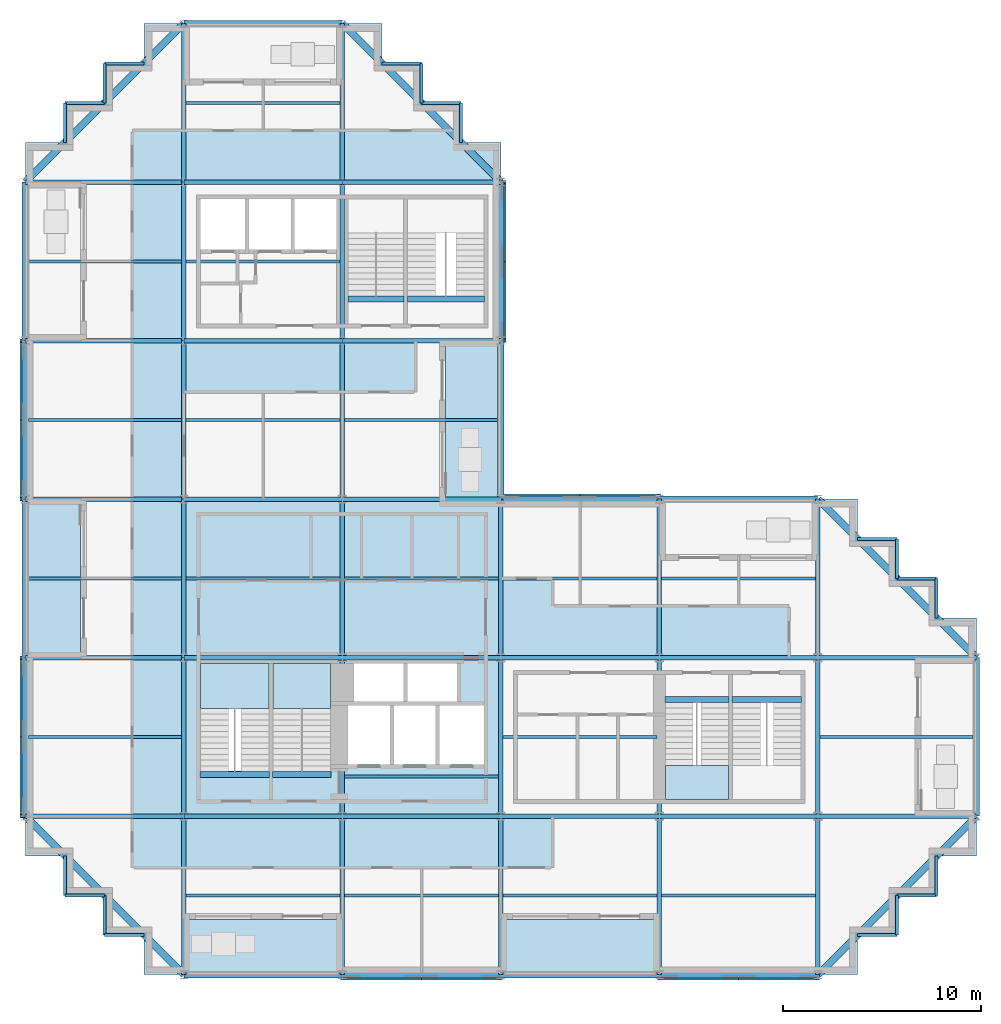
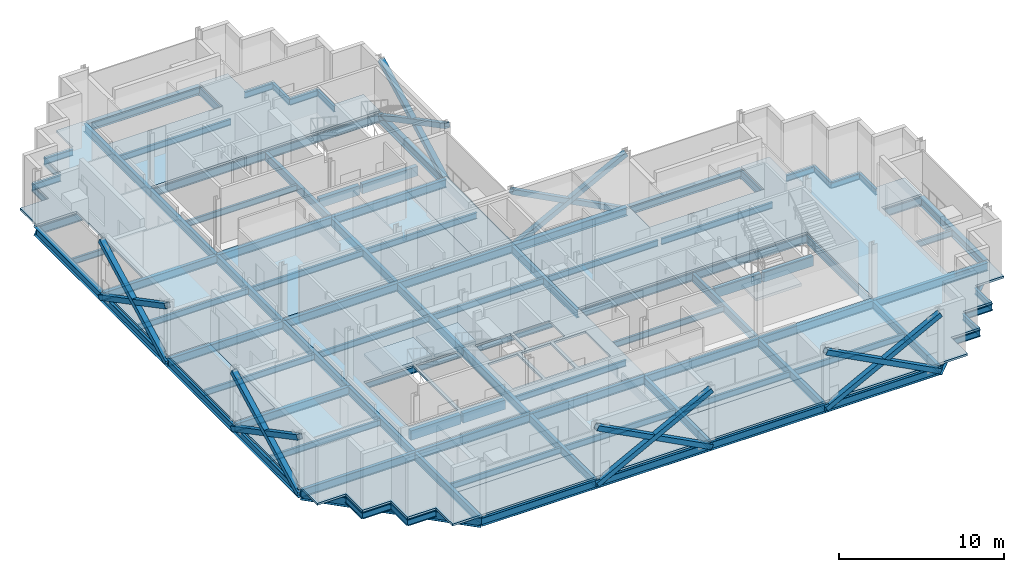
# One storey, part 3 of 13: 106 beams, 12 members, 9 slabs, 3 elements without a shape of their own.
"""IFC4 building model written with IfcOpenShell, lengths in metres."""

from ifc_helpers import new_model, si_unit, direction, frame, origin, origin_2d, place, context, subcontext, project, spatial, polyline, rectangle, hollow_rectangle, i_section, outline, extrude, material, layer, layer_set, material_profile, profile_set, type_object, element, aggregate, save


model = new_model("IFC4")

# Units and contexts
model_context = context("Model", 3, precision=1e-05, world=origin(), true_north=direction((0.0, 1.0)))
body_context = subcontext(model_context, "Body", "Model", "MODEL_VIEW")
ifc_project = project(units=[si_unit("LENGTHUNIT", "METRE"), si_unit("AREAUNIT", "SQUARE_METRE"), si_unit("VOLUMEUNIT", "CUBIC_METRE"), si_unit("PLANEANGLEUNIT", "RADIAN"), si_unit("MASSUNIT", "GRAM", prefix="KILO")], contexts=[model_context])

# Site, building, storey
site_placement = place(None, origin())
site = spatial("IfcSite", under=ifc_project, at=site_placement, CompositionType="ELEMENT")
building_placement = place(site_placement, origin())
building = spatial("IfcBuilding", under=site, at=building_placement, Name="Immortelle Media Tower", CompositionType="ELEMENT")
storey_placement = place(building_placement, frame((0.0, 0.0, 174.60009765625)))
storey = spatial("IfcBuildingStorey", under=building, at=storey_placement, Name="L36", CompositionType="ELEMENT", Elevation=174.60009765625)

# Members
ifc_material_1 = material(Name="Steel ASTM A500 Gr C", Category="steel")
ifc_material_profile_1 = material_profile(ifc_material_1, hollow_rectangle(XDim=0.35595703125, YDim=0.35595703125, WallThickness=0.011962890625, at=origin_2d()), Name="HSS14x14x1/2 brace")
ifc_profile_set_1 = profile_set([ifc_material_profile_1], Name="Steel ASTM A500 Gr C")
member_type = type_object("IfcMemberType", Name="HSS14x14x1/2 brace", PredefinedType="BRACE", material=ifc_profile_set_1)
for number, where, z_axis, x_axis, name in (
    (1, (16.0, -0.087890625, -0.4560546875), (0.885400126936, 0.0, 0.464829662588), (0.0, 1.0, 0.0), "Brace A/3-4 A"),
    (2, (16.0, -0.087890625, 3.743896484375), (0.885400126936, 0.0, -0.464829662588), (0.0, 1.0, 0.0), "Brace A/3-4 B"),
    (3, (32.0, -0.087890625, -0.4560546875), (0.885400126936, 0.0, 0.464829662588), (0.0, 1.0, 0.0), "Brace A/5-6 A"),
    (4, (32.0, -0.087890625, 3.743896484375), (0.885400126936, 0.0, -0.464829662588), (0.0, 1.0, 0.0), "Brace A/5-6 B"),
    (5, (32.0, 24.087890625, -0.4560546875), (-0.885400126936, 0.0, 0.464829662588), (0.0, -1.0, 0.0), "Brace D/4-5 A"),
    (6, (32.0, 24.087890625, 3.743896484375), (-0.885400126936, 0.0, -0.464829662588), (0.0, -1.0, 0.0), "Brace D/4-5 B"),
    (7, (24.087890625, 32.0, -0.4560546875), (0.0, 0.885400126936, 0.464829662588), (-1.0, 0.0, 0.0), "Brace 4/E-F A"),
    (8, (24.087890625, 32.0, 3.743896484375), (0.0, 0.885400126936, -0.464829662588), (-1.0, 0.0, 0.0), "Brace 4/E-F B"),
    (9, (-0.087890625, 32.0, -0.4560546875), (0.0, -0.885400126936, 0.464829662588), (1.0, 0.0, 0.0), "Brace 1/D-E A"),
    (10, (-0.087890625, 32.0, 3.743896484375), (0.0, -0.885400126936, -0.464829662588), (1.0, 0.0, 0.0), "Brace 1/D-E B"),
    (11, (-0.087890625, 16.0, -0.4560546875), (0.0, -0.885400126936, 0.464829662588), (1.0, 0.0, 0.0), "Brace 1/B-C A"),
    (12, (-0.087890625, 16.0, 3.743896484375), (0.0, -0.885400126936, -0.464829662588), (1.0, 0.0, 0.0), "Brace 1/B-C B"),
):
    element("IfcMember", number, at=place(storey_placement, frame(where, z_axis=z_axis, x_axis=x_axis)), inside=storey, type_object=member_type, Name=name, PredefinedType="BRACE", context=body_context, shape_type="SweptSolid", body=[
        extrude(hollow_rectangle(XDim=0.35595703125, YDim=0.35595703125, WallThickness=0.011962890625, at=origin_2d()), origin(), (0.0, 0.0, 1.0), 9.035400390625),
    ])

# Beams
ifc_material_2 = material(Name="Concrete C50/60", Category="concrete")
ifc_material_profile_2 = material_profile(ifc_material_2, rectangle(XDim=0.300048828125, YDim=0.699951171875, at=origin_2d()), Name="RC 300x700")
ifc_profile_set_2 = profile_set([ifc_material_profile_2], Name="Concrete C50/60")
beam_type_1 = type_object("IfcBeamType", Name="Stair trimmer beam 300 x 700", PredefinedType="BEAM", material=ifc_profile_set_2)
beam_1_placement = place(storey_placement, frame((8.830078125, 10.10498046875, -0.5), z_axis=(1.0, 0.0, 0.0), x_axis=(0.0, 1.0, 0.0)))
element("IfcBeam", 13, at=beam_1_placement, inside=storey, type_object=beam_type_1, Name="Stair trimmer beam SW1", PredefinedType="BEAM", context=body_context, shape_type="SweptSolid", body=[
    extrude(rectangle(XDim=0.300048828125, YDim=0.699951171875, at=origin_2d()), origin(), (0.0, 0.0, 1.0), 3.489990234375),
])
beam_2_placement = place(storey_placement, frame((12.47998046875, 10.10498046875, -0.5), z_axis=(1.0, 0.0, 0.0), x_axis=(0.0, 1.0, 0.0)))
element("IfcBeam", 14, at=beam_2_placement, inside=storey, type_object=beam_type_1, Name="Stair trimmer beam SW2", PredefinedType="BEAM", context=body_context, shape_type="SweptSolid", body=[
    extrude(rectangle(XDim=0.300048828125, YDim=0.699951171875, at=origin_2d()), origin(), (0.0, 0.0, 1.0), 2.93994140625),
])
beam_3_placement = place(storey_placement, frame((32.280029296875, 13.89501953125, -0.5), z_axis=(1.0, 0.0, 0.0), x_axis=(0.0, 1.0, 0.0)))
element("IfcBeam", 15, at=beam_3_placement, inside=storey, type_object=beam_type_1, Name="Stair trimmer beam SE1", PredefinedType="BEAM", context=body_context, shape_type="SweptSolid", body=[
    extrude(rectangle(XDim=0.300048828125, YDim=0.699951171875, at=origin_2d()), origin(), (0.0, 0.0, 1.0), 3.239990234375),
])
beam_4_placement = place(storey_placement, frame((35.679931640625, 13.89501953125, -0.5), z_axis=(1.0, 0.0, 0.0), x_axis=(0.0, 1.0, 0.0)))
element("IfcBeam", 16, at=beam_4_placement, inside=storey, type_object=beam_type_1, Name="Stair trimmer beam SE2", PredefinedType="BEAM", context=body_context, shape_type="SweptSolid", body=[
    extrude(rectangle(XDim=0.300048828125, YDim=0.699951171875, at=origin_2d()), origin(), (0.0, 0.0, 1.0), 3.489990234375),
])
beam_5_placement = place(storey_placement, frame((16.280029296875, 34.10498046875, -0.5), z_axis=(1.0, 0.0, 0.0), x_axis=(0.0, 1.0, 0.0)))
element("IfcBeam", 17, at=beam_5_placement, inside=storey, type_object=beam_type_1, Name="Stair trimmer beam NW1", PredefinedType="BEAM", context=body_context, shape_type="SweptSolid", body=[
    extrude(rectangle(XDim=0.300048828125, YDim=0.699951171875, at=origin_2d()), origin(), (0.0, 0.0, 1.0), 2.840087890625),
])
beam_6_placement = place(storey_placement, frame((19.280029296875, 34.10498046875, -0.5), z_axis=(1.0, 0.0, 0.0), x_axis=(0.0, 1.0, 0.0)))
element("IfcBeam", 18, at=beam_6_placement, inside=storey, type_object=beam_type_1, Name="Stair trimmer beam NW2", PredefinedType="BEAM", context=body_context, shape_type="SweptSolid", body=[
    extrude(rectangle(XDim=0.300048828125, YDim=0.699951171875, at=origin_2d()), origin(), (0.0, 0.0, 1.0), 3.889892578125),
])
ifc_material_3 = material(Name="Steel ASTM A992 Gr 50", Category="steel")
ifc_material_profile_3 = material_profile(ifc_material_3, i_section(OverallWidth=0.153076171875, OverallDepth=0.455078125, WebThickness=0.008056640625, FlangeThickness=0.012939453125, at=origin_2d()), Name="W18x40")
ifc_profile_set_3 = profile_set([ifc_material_profile_3], Name="Steel ASTM A992 Gr 50")
beam_type_2 = type_object("IfcBeamType", Name="W18x40 secondary beam", PredefinedType="JOIST", material=ifc_profile_set_3)
for number, where, z_axis, x_axis, name in (
    (19, (8.114013671875, 4.0, -0.377685546875), (1.0, 0.0, 0.0), (0.0, 1.0, 0.0), "Beam A-B/2-3"),
    (20, (16.114013671875, 4.0, -0.377685546875), (1.0, 0.0, 0.0), (0.0, 1.0, 0.0), "Beam A-B/3-4"),
    (21, (24.114013671875, 4.0, -0.377685546875), (1.0, 0.0, 0.0), (0.0, 1.0, 0.0), "Beam A-B/4-5"),
    (22, (32.114013671875, 4.0, -0.377685546875), (1.0, 0.0, 0.0), (0.0, 1.0, 0.0), "Beam A-B/5-6"),
):
    element("IfcBeam", number, at=place(storey_placement, frame(where, z_axis=z_axis, x_axis=x_axis)), inside=storey, type_object=beam_type_2, Name=name, PredefinedType="JOIST", context=body_context, shape_type="SweptSolid", body=[
        extrude(i_section(OverallWidth=0.153076171875, OverallDepth=0.455078125, WebThickness=0.008056640625, FlangeThickness=0.012939453125, at=origin_2d()), origin(), (0.0, 0.0, 1.0), 7.77197265625),
    ])
beam_7_placement = place(storey_placement, frame((0.162109375, 12.0, -0.377685546875), z_axis=(1.0, 0.0, 0.0), x_axis=(0.0, 1.0, 0.0)))
element("IfcBeam", 23, at=beam_7_placement, inside=storey, type_object=beam_type_2, Name="Beam B-C/1-2", PredefinedType="JOIST", context=body_context, shape_type="SweptSolid", body=[
    extrude(i_section(OverallWidth=0.153076171875, OverallDepth=0.455078125, WebThickness=0.008056640625, FlangeThickness=0.012939453125, at=origin_2d()), origin(), (0.0, 0.0, 1.0), 7.723876953125),
])
for number, where, z_axis, x_axis, name in (
    (24, (16.114013671875, 10.0, -0.377685546875), (1.0, 0.0, 0.0), (0.0, 1.0, 0.0), "Beam B-C/3-4"),
    (25, (24.114013671875, 12.0, -0.377685546875), (1.0, 0.0, 0.0), (0.0, 1.0, 0.0), "Beam B-C/4-5"),
):
    element("IfcBeam", number, at=place(storey_placement, frame(where, z_axis=z_axis, x_axis=x_axis)), inside=storey, type_object=beam_type_2, Name=name, PredefinedType="JOIST", context=body_context, shape_type="SweptSolid", body=[
        extrude(i_section(OverallWidth=0.153076171875, OverallDepth=0.455078125, WebThickness=0.008056640625, FlangeThickness=0.012939453125, at=origin_2d()), origin(), (0.0, 0.0, 1.0), 7.77197265625),
    ])
for number, where, z_axis, x_axis, name in (
    (26, (40.114013671875, 12.0, -0.377685546875), (1.0, 0.0, 0.0), (0.0, 1.0, 0.0), "Beam B-C/6-7"),
    (27, (0.162109375, 20.0, -0.377685546875), (1.0, 0.0, 0.0), (0.0, 1.0, 0.0), "Beam C-D/1-2"),
):
    element("IfcBeam", number, at=place(storey_placement, frame(where, z_axis=z_axis, x_axis=x_axis)), inside=storey, type_object=beam_type_2, Name=name, PredefinedType="JOIST", context=body_context, shape_type="SweptSolid", body=[
        extrude(i_section(OverallWidth=0.153076171875, OverallDepth=0.455078125, WebThickness=0.008056640625, FlangeThickness=0.012939453125, at=origin_2d()), origin(), (0.0, 0.0, 1.0), 7.723876953125),
    ])
for number, where, z_axis, x_axis, name in (
    (28, (8.114013671875, 20.0, -0.377685546875), (1.0, 0.0, 0.0), (0.0, 1.0, 0.0), "Beam C-D/2-3"),
    (29, (16.114013671875, 20.0, -0.377685546875), (1.0, 0.0, 0.0), (0.0, 1.0, 0.0), "Beam C-D/3-4"),
    (30, (24.114013671875, 20.0, -0.377685546875), (1.0, 0.0, 0.0), (0.0, 1.0, 0.0), "Beam C-D/4-5"),
    (31, (32.114013671875, 20.0, -0.377685546875), (1.0, 0.0, 0.0), (0.0, 1.0, 0.0), "Beam C-D/5-6"),
):
    element("IfcBeam", number, at=place(storey_placement, frame(where, z_axis=z_axis, x_axis=x_axis)), inside=storey, type_object=beam_type_2, Name=name, PredefinedType="JOIST", context=body_context, shape_type="SweptSolid", body=[
        extrude(i_section(OverallWidth=0.153076171875, OverallDepth=0.455078125, WebThickness=0.008056640625, FlangeThickness=0.012939453125, at=origin_2d()), origin(), (0.0, 0.0, 1.0), 7.77197265625),
    ])
beam_8_placement = place(storey_placement, frame((0.162109375, 28.0, -0.377685546875), z_axis=(1.0, 0.0, 0.0), x_axis=(0.0, 1.0, 0.0)))
element("IfcBeam", 32, at=beam_8_placement, inside=storey, type_object=beam_type_2, Name="Beam D-E/1-2", PredefinedType="JOIST", context=body_context, shape_type="SweptSolid", body=[
    extrude(i_section(OverallWidth=0.153076171875, OverallDepth=0.455078125, WebThickness=0.008056640625, FlangeThickness=0.012939453125, at=origin_2d()), origin(), (0.0, 0.0, 1.0), 7.723876953125),
])
beam_9_placement = place(storey_placement, frame((8.114013671875, 28.0, -0.377685546875), z_axis=(1.0, 0.0, 0.0), x_axis=(0.0, 1.0, 0.0)))
element("IfcBeam", 33, at=beam_9_placement, inside=storey, type_object=beam_type_2, Name="Beam D-E/2-3", PredefinedType="JOIST", context=body_context, shape_type="SweptSolid", body=[
    extrude(i_section(OverallWidth=0.153076171875, OverallDepth=0.455078125, WebThickness=0.008056640625, FlangeThickness=0.012939453125, at=origin_2d()), origin(), (0.0, 0.0, 1.0), 7.77197265625),
])
for number, where, z_axis, x_axis, name in (
    (34, (16.114013671875, 28.0, -0.377685546875), (1.0, 0.0, 0.0), (0.0, 1.0, 0.0), "Beam D-E/3-4"),
    (35, (0.162109375, 36.0, -0.377685546875), (1.0, 0.0, 0.0), (0.0, 1.0, 0.0), "Beam E-F/1-2"),
):
    element("IfcBeam", number, at=place(storey_placement, frame(where, z_axis=z_axis, x_axis=x_axis)), inside=storey, type_object=beam_type_2, Name=name, PredefinedType="JOIST", context=body_context, shape_type="SweptSolid", body=[
        extrude(i_section(OverallWidth=0.153076171875, OverallDepth=0.455078125, WebThickness=0.008056640625, FlangeThickness=0.012939453125, at=origin_2d()), origin(), (0.0, 0.0, 1.0), 7.723876953125),
    ])
for number, where, z_axis, x_axis, name in (
    (36, (8.114013671875, 36.0, -0.377685546875), (1.0, 0.0, 0.0), (0.0, 1.0, 0.0), "Beam E-F/2-3"),
    (37, (8.114013671875, 44.0, -0.377685546875), (1.0, 0.0, 0.0), (0.0, 1.0, 0.0), "Beam F-G/2-3"),
):
    element("IfcBeam", number, at=place(storey_placement, frame(where, z_axis=z_axis, x_axis=x_axis)), inside=storey, type_object=beam_type_2, Name=name, PredefinedType="JOIST", context=body_context, shape_type="SweptSolid", body=[
        extrude(i_section(OverallWidth=0.153076171875, OverallDepth=0.455078125, WebThickness=0.008056640625, FlangeThickness=0.012939453125, at=origin_2d()), origin(), (0.0, 0.0, 1.0), 7.77197265625),
    ])
ifc_material_profile_4 = material_profile(ifc_material_3, i_section(OverallWidth=0.153076171875, OverallDepth=0.455078125, WebThickness=0.008056640625, FlangeThickness=0.012939453125, at=origin_2d()), Name="W18x40")
ifc_profile_set_4 = profile_set([ifc_material_profile_4], Name="Steel ASTM A992 Gr 50")
beam_type_3 = type_object("IfcBeamType", Name="W18x40 serration edge beam", PredefinedType="SPANDREL", material=ifc_profile_set_4)
for number, where, z_axis, x_axis, name in (
    (38, (6.0, 2.0, -0.377685546875), (-1.0, 0.0, 0.0), (0.0, -1.0, 0.0), "Corner edge beam 1 at 1/A"),
    (39, (4.0, 2.0, -0.377685546875), (0.0, 1.0, 0.0), (-1.0, 0.0, 0.0), "Corner edge beam 2 at 1/A"),
    (40, (4.0, 4.0, -0.377685546875), (-1.0, 0.0, 0.0), (0.0, -1.0, 0.0), "Corner edge beam 3 at 1/A"),
    (41, (2.0, 4.0, -0.377685546875), (0.0, 1.0, 0.0), (-1.0, 0.0, 0.0), "Corner edge beam 4 at 1/A"),
    (42, (2.0, 42.0, -0.377685546875), (0.0, 1.0, 0.0), (-1.0, 0.0, 0.0), "Corner edge beam 1 at 1/G"),
    (43, (2.0, 44.0, -0.377685546875), (1.0, 0.0, 0.0), (0.0, 1.0, 0.0), "Corner edge beam 2 at 1/G"),
    (44, (4.0, 44.0, -0.377685546875), (0.0, 1.0, 0.0), (-1.0, 0.0, 0.0), "Corner edge beam 3 at 1/G"),
    (45, (4.0, 46.0, -0.377685546875), (1.0, 0.0, 0.0), (0.0, 1.0, 0.0), "Corner edge beam 4 at 1/G"),
    (46, (18.0, 46.0, -0.377685546875), (1.0, 0.0, 0.0), (0.0, 1.0, 0.0), "Corner edge beam 1 at 4/G"),
    (47, (20.0, 46.0, -0.377685546875), (0.0, -1.0, 0.0), (1.0, 0.0, 0.0), "Corner edge beam 2 at 4/G"),
    (48, (20.0, 44.0, -0.377685546875), (1.0, 0.0, 0.0), (0.0, 1.0, 0.0), "Corner edge beam 3 at 4/G"),
    (49, (22.0, 44.0, -0.377685546875), (0.0, -1.0, 0.0), (1.0, 0.0, 0.0), "Corner edge beam 4 at 4/G"),
    (50, (46.0, 6.0, -0.377685546875), (0.0, -1.0, 0.0), (1.0, 0.0, 0.0), "Corner edge beam 1 at 7/A"),
    (51, (46.0, 4.0, -0.377685546875), (-1.0, 0.0, 0.0), (0.0, -1.0, 0.0), "Corner edge beam 2 at 7/A"),
    (52, (44.0, 4.0, -0.377685546875), (0.0, -1.0, 0.0), (1.0, 0.0, 0.0), "Corner edge beam 3 at 7/A"),
    (53, (44.0, 2.0, -0.377685546875), (-1.0, 0.0, 0.0), (0.0, -1.0, 0.0), "Corner edge beam 4 at 7/A"),
    (54, (42.0, 22.0, -0.377685546875), (1.0, 0.0, 0.0), (0.0, 1.0, 0.0), "Corner edge beam 1 at 7/D"),
    (55, (44.0, 22.0, -0.377685546875), (0.0, -1.0, 0.0), (1.0, 0.0, 0.0), "Corner edge beam 2 at 7/D"),
    (56, (44.0, 20.0, -0.377685546875), (1.0, 0.0, 0.0), (0.0, 1.0, 0.0), "Corner edge beam 3 at 7/D"),
    (57, (46.0, 20.0, -0.377685546875), (0.0, -1.0, 0.0), (1.0, 0.0, 0.0), "Corner edge beam 4 at 7/D"),
):
    element("IfcBeam", number, at=place(storey_placement, frame(where, z_axis=z_axis, x_axis=x_axis)), inside=storey, type_object=beam_type_3, Name=name, PredefinedType="SPANDREL", context=body_context, shape_type="SweptSolid", body=[
        extrude(i_section(OverallWidth=0.153076171875, OverallDepth=0.455078125, WebThickness=0.008056640625, FlangeThickness=0.012939453125, at=origin_2d()), origin(), (0.0, 0.0, 1.0), 2.0),
    ])
ifc_material_profile_5 = material_profile(ifc_material_3, i_section(OverallWidth=0.323974609375, OverallDepth=0.612060546875, WebThickness=0.012939453125, FlangeThickness=0.01904296875, at=origin_2d()), Name="W24x104")
ifc_profile_set_5 = profile_set([ifc_material_profile_5], Name="Steel ASTM A992 Gr 50")
beam_type_4 = type_object("IfcBeamType", Name="W24x104 perimeter girder", PredefinedType="SPANDREL", material=ifc_profile_set_5)
for number, where, z_axis, x_axis, name in (
    (58, (0.0, 8.0, -0.4560546875), (0.0, 1.0, 0.0), (-1.0, 0.0, 0.0), "Girder 1/B-C"),
    (59, (0.0, 16.0, -0.4560546875), (0.0, 1.0, 0.0), (-1.0, 0.0, 0.0), "Girder 1/C-D"),
    (60, (0.0, 24.0, -0.4560546875), (0.0, 1.0, 0.0), (-1.0, 0.0, 0.0), "Girder 1/D-E"),
    (61, (0.0, 32.0, -0.4560546875), (0.0, 1.0, 0.0), (-1.0, 0.0, 0.0), "Girder 1/E-F"),
    (62, (8.0, 0.0, -0.4560546875), (1.0, 0.0, 0.0), (0.0, 1.0, 0.0), "Girder A/2-3"),
    (63, (8.0, 48.0, -0.4560546875), (1.0, 0.0, 0.0), (0.0, 1.0, 0.0), "Girder G/2-3"),
    (64, (16.0, 0.0, -0.4560546875), (1.0, 0.0, 0.0), (0.0, 1.0, 0.0), "Girder A/3-4"),
    (65, (24.0, 0.0, -0.4560546875), (1.0, 0.0, 0.0), (0.0, 1.0, 0.0), "Girder A/4-5"),
    (66, (24.0, 24.0, -0.4560546875), (1.0, 0.0, 0.0), (0.0, 1.0, 0.0), "Girder D/4-5"),
    (67, (24.0, 24.0, -0.4560546875), (0.0, 1.0, 0.0), (-1.0, 0.0, 0.0), "Girder 4/D-E"),
    (68, (24.0, 32.0, -0.4560546875), (0.0, 1.0, 0.0), (-1.0, 0.0, 0.0), "Girder 4/E-F"),
    (69, (32.0, 0.0, -0.4560546875), (1.0, 0.0, 0.0), (0.0, 1.0, 0.0), "Girder A/5-6"),
    (70, (32.0, 24.0, -0.4560546875), (1.0, 0.0, 0.0), (0.0, 1.0, 0.0), "Girder D/5-6"),
    (71, (48.0, 8.0, -0.4560546875), (0.0, 1.0, 0.0), (-1.0, 0.0, 0.0), "Girder 7/B-C"),
):
    element("IfcBeam", number, at=place(storey_placement, frame(where, z_axis=z_axis, x_axis=x_axis)), inside=storey, type_object=beam_type_4, Name=name, PredefinedType="SPANDREL", context=body_context, shape_type="SweptSolid", body=[
        extrude(i_section(OverallWidth=0.323974609375, OverallDepth=0.612060546875, WebThickness=0.012939453125, FlangeThickness=0.01904296875, at=origin_2d()), origin(), (0.0, 0.0, 1.0), 8.0),
    ])
ifc_material_profile_6 = material_profile(ifc_material_3, i_section(OverallWidth=0.22802734375, OverallDepth=0.60205078125, WebThickness=0.010986328125, FlangeThickness=0.014892578125, at=origin_2d()), Name="W24x68")
ifc_profile_set_6 = profile_set([ifc_material_profile_6], Name="Steel ASTM A992 Gr 50")
beam_type_5 = type_object("IfcBeamType", Name="W24x68 girder", PredefinedType="BEAM", material=ifc_profile_set_6)
for number, where, z_axis, x_axis, name in (
    (72, (0.0, 8.0, -0.451171875), (1.0, 0.0, 0.0), (0.0, 1.0, 0.0), "Girder B/1-2"),
    (73, (0.0, 16.0, -0.451171875), (1.0, 0.0, 0.0), (0.0, 1.0, 0.0), "Girder C/1-2"),
    (74, (0.0, 24.0, -0.451171875), (1.0, 0.0, 0.0), (0.0, 1.0, 0.0), "Girder D/1-2"),
    (75, (0.0, 32.0, -0.451171875), (1.0, 0.0, 0.0), (0.0, 1.0, 0.0), "Girder E/1-2"),
    (76, (0.0, 40.0, -0.451171875), (1.0, 0.0, 0.0), (0.0, 1.0, 0.0), "Girder F/1-2"),
    (77, (8.0, 0.0, -0.451171875), (0.0, 1.0, 0.0), (-1.0, 0.0, 0.0), "Girder 2/A-B"),
    (78, (8.0, 8.0, -0.451171875), (1.0, 0.0, 0.0), (0.0, 1.0, 0.0), "Girder B/2-3"),
    (79, (8.0, 8.0, -0.451171875), (0.0, 1.0, 0.0), (-1.0, 0.0, 0.0), "Girder 2/B-C"),
    (80, (8.0, 16.0, -0.451171875), (1.0, 0.0, 0.0), (0.0, 1.0, 0.0), "Girder C/2-3"),
    (81, (8.0, 16.0, -0.451171875), (0.0, 1.0, 0.0), (-1.0, 0.0, 0.0), "Girder 2/C-D"),
    (82, (8.0, 24.0, -0.451171875), (1.0, 0.0, 0.0), (0.0, 1.0, 0.0), "Girder D/2-3"),
    (83, (8.0, 24.0, -0.451171875), (0.0, 1.0, 0.0), (-1.0, 0.0, 0.0), "Girder 2/D-E"),
    (84, (8.0, 32.0, -0.451171875), (1.0, 0.0, 0.0), (0.0, 1.0, 0.0), "Girder E/2-3"),
    (85, (8.0, 32.0, -0.451171875), (0.0, 1.0, 0.0), (-1.0, 0.0, 0.0), "Girder 2/E-F"),
    (86, (8.0, 40.0, -0.451171875), (1.0, 0.0, 0.0), (0.0, 1.0, 0.0), "Girder F/2-3"),
    (87, (8.0, 40.0, -0.451171875), (0.0, 1.0, 0.0), (-1.0, 0.0, 0.0), "Girder 2/F-G"),
    (88, (16.0, 0.0, -0.451171875), (0.0, 1.0, 0.0), (-1.0, 0.0, 0.0), "Girder 3/A-B"),
    (89, (16.0, 8.0, -0.451171875), (1.0, 0.0, 0.0), (0.0, 1.0, 0.0), "Girder B/3-4"),
    (90, (16.0, 8.0, -0.451171875), (0.0, 1.0, 0.0), (-1.0, 0.0, 0.0), "Girder 3/B-C"),
    (91, (16.0, 16.0, -0.451171875), (1.0, 0.0, 0.0), (0.0, 1.0, 0.0), "Girder C/3-4"),
    (92, (16.0, 16.0, -0.451171875), (0.0, 1.0, 0.0), (-1.0, 0.0, 0.0), "Girder 3/C-D"),
    (93, (16.0, 24.0, -0.451171875), (1.0, 0.0, 0.0), (0.0, 1.0, 0.0), "Girder D/3-4"),
    (94, (16.0, 24.0, -0.451171875), (0.0, 1.0, 0.0), (-1.0, 0.0, 0.0), "Girder 3/D-E"),
    (95, (16.0, 32.0, -0.451171875), (1.0, 0.0, 0.0), (0.0, 1.0, 0.0), "Girder E/3-4"),
    (96, (16.0, 32.0, -0.451171875), (0.0, 1.0, 0.0), (-1.0, 0.0, 0.0), "Girder 3/E-F"),
    (97, (16.0, 40.0, -0.451171875), (1.0, 0.0, 0.0), (0.0, 1.0, 0.0), "Girder F/3-4"),
    (98, (16.0, 40.0, -0.451171875), (0.0, 1.0, 0.0), (-1.0, 0.0, 0.0), "Girder 3/F-G"),
    (99, (24.0, 0.0, -0.451171875), (0.0, 1.0, 0.0), (-1.0, 0.0, 0.0), "Girder 4/A-B"),
    (100, (24.0, 8.0, -0.451171875), (1.0, 0.0, 0.0), (0.0, 1.0, 0.0), "Girder B/4-5"),
    (101, (24.0, 8.0, -0.451171875), (0.0, 1.0, 0.0), (-1.0, 0.0, 0.0), "Girder 4/B-C"),
    (102, (24.0, 16.0, -0.451171875), (1.0, 0.0, 0.0), (0.0, 1.0, 0.0), "Girder C/4-5"),
    (103, (24.0, 16.0, -0.451171875), (0.0, 1.0, 0.0), (-1.0, 0.0, 0.0), "Girder 4/C-D"),
    (104, (32.0, 0.0, -0.451171875), (0.0, 1.0, 0.0), (-1.0, 0.0, 0.0), "Girder 5/A-B"),
    (105, (32.0, 8.0, -0.451171875), (1.0, 0.0, 0.0), (0.0, 1.0, 0.0), "Girder B/5-6"),
    (106, (32.0, 8.0, -0.451171875), (0.0, 1.0, 0.0), (-1.0, 0.0, 0.0), "Girder 5/B-C"),
    (107, (32.0, 16.0, -0.451171875), (1.0, 0.0, 0.0), (0.0, 1.0, 0.0), "Girder C/5-6"),
    (108, (32.0, 16.0, -0.451171875), (0.0, 1.0, 0.0), (-1.0, 0.0, 0.0), "Girder 5/C-D"),
    (109, (40.0, 0.0, -0.451171875), (0.0, 1.0, 0.0), (-1.0, 0.0, 0.0), "Girder 6/A-B"),
    (110, (40.0, 8.0, -0.451171875), (1.0, 0.0, 0.0), (0.0, 1.0, 0.0), "Girder B/6-7"),
    (111, (40.0, 8.0, -0.451171875), (0.0, 1.0, 0.0), (-1.0, 0.0, 0.0), "Girder 6/B-C"),
    (112, (40.0, 16.0, -0.451171875), (1.0, 0.0, 0.0), (0.0, 1.0, 0.0), "Girder C/6-7"),
    (113, (40.0, 16.0, -0.451171875), (0.0, 1.0, 0.0), (-1.0, 0.0, 0.0), "Girder 6/C-D"),
):
    element("IfcBeam", number, at=place(storey_placement, frame(where, z_axis=z_axis, x_axis=x_axis)), inside=storey, type_object=beam_type_5, Name=name, PredefinedType="BEAM", context=body_context, shape_type="SweptSolid", body=[
        extrude(i_section(OverallWidth=0.22802734375, OverallDepth=0.60205078125, WebThickness=0.010986328125, FlangeThickness=0.014892578125, at=origin_2d()), origin(), (0.0, 0.0, 1.0), 8.0),
    ])
ifc_material_profile_7 = material_profile(ifc_material_3, i_section(OverallWidth=0.35595703125, OverallDepth=0.696044921875, WebThickness=0.014892578125, FlangeThickness=0.02490234375, at=origin_2d()), Name="W27x146")
ifc_profile_set_7 = profile_set([ifc_material_profile_7], Name="Steel ASTM A992 Gr 50")
beam_type_6 = type_object("IfcBeamType", Name="W27x146 corner girder", PredefinedType="SPANDREL", material=ifc_profile_set_7)
for number, where, z_axis, x_axis, name in (
    (114, (8.0, 0.0, -0.498046875), (-0.707106781187, 0.707106781187, 0.0), (-0.707106781187, -0.707106781187, 0.0), "Corner girder at 1/A"),
    (115, (0.0, 40.0, -0.498046875), (0.707106781187, 0.707106781187, 0.0), (-0.707106781187, 0.707106781187, 0.0), "Corner girder at 1/G"),
    (116, (16.0, 48.0, -0.498046875), (0.707106781187, -0.707106781187, 0.0), (0.707106781187, 0.707106781187, 0.0), "Corner girder at 4/G"),
    (117, (48.0, 8.0, -0.498046875), (-0.707106781187, -0.707106781187, 0.0), (0.707106781187, -0.707106781187, 0.0), "Corner girder at 7/A"),
    (118, (40.0, 24.0, -0.498046875), (0.707106781187, -0.707106781187, 0.0), (0.707106781187, 0.707106781187, 0.0), "Corner girder at 7/D"),
):
    element("IfcBeam", number, at=place(storey_placement, frame(where, z_axis=z_axis, x_axis=x_axis)), inside=storey, type_object=beam_type_6, Name=name, PredefinedType="SPANDREL", context=body_context, shape_type="SweptSolid", body=[
        extrude(i_section(OverallWidth=0.35595703125, OverallDepth=0.696044921875, WebThickness=0.014892578125, FlangeThickness=0.02490234375, at=origin_2d()), origin(), (0.0, 0.0, 1.0), 11.313720703125),
    ])

# Slabs
ifc_material_4 = material(Name="Concrete C50/60 composite deck", Category="concrete")
ifc_layer_1 = layer(ifc_material_4, 0.14990234375)
ifc_layer_set_1 = layer_set([ifc_layer_1], Name="Concrete C50/60 composite deck")
slab_type_1 = type_object("IfcSlabType", Name="Balcony slab 150", PredefinedType="FLOOR", material=ifc_layer_set_1)
slab_1_placement = place(storey_placement, frame((0.0, 0.0, -0.150146484375)))
element("IfcSlab", 119, at=slab_1_placement, inside=storey, type_object=slab_type_1, Name="Balcony slab L36 S0", PredefinedType="FLOOR", context=body_context, shape_type="SweptSolid", body=[
    extrude(outline(polyline([(16.0, 0.0), (16.0, 2.800048828125), (8.0, 2.800048828125), (8.0, 0.0), (16.0, 0.0)])), origin(), (0.0, 0.0, 1.0), 0.150146484375),
])
slab_2_placement = place(storey_placement, frame((0.0, 0.0, -0.150146484375)))
element("IfcSlab", 120, at=slab_2_placement, inside=storey, type_object=slab_type_1, Name="Balcony slab L36 S2", PredefinedType="FLOOR", context=body_context, shape_type="SweptSolid", body=[
    extrude(outline(polyline([(32.0, 0.0), (32.0, 2.800048828125), (24.0, 2.800048828125), (24.0, 0.0), (32.0, 0.0)])), origin(), (0.0, 0.0, 1.0), 0.150146484375),
])
slab_3_placement = place(storey_placement, frame((0.0, 0.0, -0.150146484375)))
element("IfcSlab", 121, at=slab_3_placement, inside=storey, type_object=slab_type_1, Name="Balcony slab L36 E0", PredefinedType="FLOOR", context=body_context, shape_type="SweptSolid", body=[
    extrude(outline(polyline([(24.0, 24.0), (24.0, 32.0), (21.199951171875, 32.0), (21.199951171875, 24.0), (24.0, 24.0)])), origin(), (0.0, 0.0, 1.0), 0.150146484375),
])
slab_4_placement = place(storey_placement, frame((0.0, 0.0, -0.150146484375)))
element("IfcSlab", 122, at=slab_4_placement, inside=storey, type_object=slab_type_1, Name="Balcony slab L36 W2", PredefinedType="FLOOR", context=body_context, shape_type="SweptSolid", body=[
    extrude(outline(polyline([(2.800048828125, 16.0), (2.800048828125, 24.0), (0.0, 24.0), (0.0, 16.0), (2.800048828125, 16.0)])), origin(), (0.0, 0.0, 1.0), 0.150146484375),
])
ifc_layer_2 = layer(ifc_material_2, 0.14990234375)
ifc_layer_set_2 = layer_set([ifc_layer_2], Name="Concrete C50/60")
slab_type_2 = type_object("IfcSlabType", Name="Composite floor slab 150", PredefinedType="FLOOR", material=ifc_layer_set_2)
slab_5_placement = place(storey_placement, frame((0.0, 0.0, -0.150146484375)))
element("IfcSlab", 123, at=slab_5_placement, inside=storey, type_object=slab_type_2, Name="Floor slab L36", PredefinedType="FLOOR", context=body_context, shape_type="SweptSolid", body=[
    extrude(outline(polyline([(6.0, 0.0), (6.0, 2.0), (4.0, 2.0), (4.0, 4.0), (2.0, 4.0), (2.0, 6.0), (0.0, 6.0), (0.0, 16.0), (2.800048828125, 16.0), (2.800048828125, 24.0), (0.0, 24.0), (0.0, 32.0), (2.800048828125, 32.0), (2.800048828125, 40.0), (0.0, 40.0), (0.0, 42.0), (2.0, 42.0), (2.0, 44.0), (4.0, 44.0), (4.0, 46.0), (6.0, 46.0), (6.0, 48.0), (8.0, 48.0), (8.0, 45.199951171875), (16.0, 45.199951171875), (16.0, 48.0), (18.0, 48.0), (18.0, 46.0), (20.0, 46.0), (20.0, 44.0), (22.0, 44.0), (22.0, 42.0), (24.0, 42.0), (24.0, 40.0), (8.0, 40.0), (8.0, 32.0), (21.199951171875, 32.0), (21.199951171875, 24.0), (8.0, 24.0), (8.0, 8.0), (24.0, 8.0), (40.0, 8.0), (40.0, 16.0), (24.0, 16.0), (24.0, 24.0), (32.0, 24.0), (32.0, 21.199951171875), (40.0, 21.199951171875), (40.0, 24.0), (42.0, 24.0), (42.0, 22.0), (44.0, 22.0), (44.0, 20.0), (46.0, 20.0), (46.0, 18.0), (48.0, 18.0), (48.0, 16.0), (45.199951171875, 16.0), (45.199951171875, 8.0), (48.0, 8.0), (48.0, 6.0), (46.0, 6.0), (46.0, 4.0), (44.0, 4.0), (44.0, 2.0), (42.0, 2.0), (42.0, 0.0), (32.0, 0.0), (32.0, 2.800048828125), (24.0, 2.800048828125), (24.0, 0.0), (16.0, 0.0), (16.0, 2.800048828125), (8.0, 2.800048828125), (8.0, 0.0), (6.0, 0.0)])), origin(), (0.0, 0.0, 1.0), 0.150146484375),
])
ifc_layer_3 = layer(ifc_material_2, 0.14990234375)
ifc_layer_set_3 = layer_set([ifc_layer_3], Name="Concrete C50/60")
slab_type_3 = type_object("IfcSlabType", Name="Core floor slab 150", PredefinedType="FLOOR", material=ifc_layer_set_3)
slab_6_placement = place(storey_placement, frame((0.0, 0.0, -0.150146484375)))
element("IfcSlab", 124, at=slab_6_placement, inside=storey, type_object=slab_type_3, Name="Core floor SW", PredefinedType="FLOOR", context=body_context, shape_type="SweptSolid", body=[
    extrude(outline(polyline([(8.0, 8.0), (24.0, 8.0), (24.0, 24.0), (8.0, 24.0), (8.0, 8.0)]), holes=[polyline([(16.60009765625, 13.800048828125), (19.10009765625, 13.800048828125), (19.10009765625, 15.699951171875), (16.60009765625, 15.699951171875), (16.60009765625, 13.800048828125)]), polyline([(19.300048828125, 13.800048828125), (21.800048828125, 13.800048828125), (21.800048828125, 15.699951171875), (19.300048828125, 15.699951171875), (19.300048828125, 13.800048828125)]), polyline([(16.300048828125, 10.60009765625), (18.39990234375, 10.60009765625), (18.39990234375, 13.60009765625), (16.300048828125, 13.60009765625), (16.300048828125, 10.60009765625)]), polyline([(18.60009765625, 10.60009765625), (20.699951171875, 10.60009765625), (20.699951171875, 13.60009765625), (18.60009765625, 13.60009765625), (18.60009765625, 10.60009765625)]), polyline([(20.89990234375, 10.60009765625), (23.14990234375, 10.60009765625), (23.14990234375, 13.60009765625), (20.89990234375, 13.60009765625), (20.89990234375, 10.60009765625)]), polyline([(8.85009765625, 10.27001953125), (12.300048828125, 10.27001953125), (12.300048828125, 15.699951171875), (8.85009765625, 15.699951171875), (8.85009765625, 10.27001953125)]), polyline([(12.5, 10.27001953125), (15.39990234375, 10.27001953125), (15.39990234375, 15.699951171875), (12.5, 15.699951171875), (12.5, 10.27001953125)])]), origin(), (0.0, 0.0, 1.0), 0.150146484375),
])

# Stair, slab
stair_type = type_object("IfcStairType", Name="Stair with flights", PredefinedType="DOUBLE_RETURN_STAIR", material=ifc_material_3)
stair_1_placement = place(storey_placement, origin())
stair_1 = element("IfcStair", 125, at=stair_1_placement, inside=storey, type_object=stair_type, Name="Exit stair SW1", PredefinedType="DOUBLE_RETURN_STAIR")
ifc_material_5 = material(Name="Steel ASTM A572 Gr 50", Category="steel")
ifc_layer_4 = layer(ifc_material_5, 0.199951171875)
ifc_layer_set_4 = layer_set([ifc_layer_4], Name="Steel ASTM A572 Gr 50")
slab_type_4 = type_object("IfcSlabType", Name="Stair landing 200", PredefinedType="LANDING", material=ifc_layer_set_4)
slab_7_placement = place(storey_placement, frame((0.0, 0.0, 1.89990234375)))
slab_7 = element("IfcSlab", 126, at=slab_7_placement, type_object=slab_type_4, Name="ST SW1 landing 1", PredefinedType="LANDING", context=body_context, shape_type="SweptSolid", body=[
    extrude(outline(polyline([(8.85009765625, 13.43994140625), (12.300048828125, 13.43994140625), (12.300048828125, 15.699951171875), (8.85009765625, 15.699951171875), (8.85009765625, 13.43994140625)])), origin(), (0.0, 0.0, 1.0), 0.199951171875),
])
aggregate(stair_1, [slab_7])

stair_2_placement = place(storey_placement, origin())
stair_2 = element("IfcStair", 127, at=stair_2_placement, inside=storey, type_object=stair_type, Name="Exit stair SW2", PredefinedType="DOUBLE_RETURN_STAIR")
slab_8_placement = place(storey_placement, frame((0.0, 0.0, 1.89990234375)))
slab_8 = element("IfcSlab", 128, at=slab_8_placement, type_object=slab_type_4, Name="ST SW2 landing 1", PredefinedType="LANDING", context=body_context, shape_type="SweptSolid", body=[
    extrude(outline(polyline([(12.5, 13.43994140625), (15.39990234375, 13.43994140625), (15.39990234375, 15.699951171875), (12.5, 15.699951171875), (12.5, 13.43994140625)])), origin(), (0.0, 0.0, 1.0), 0.199951171875),
])
aggregate(stair_2, [slab_8])

stair_3_placement = place(storey_placement, origin())
stair_3 = element("IfcStair", 129, at=stair_3_placement, inside=storey, type_object=stair_type, Name="Exit stair SE1", PredefinedType="DOUBLE_RETURN_STAIR")
slab_9_placement = place(storey_placement, frame((0.0, 0.0, 1.89990234375)))
slab_9 = element("IfcSlab", 130, at=slab_9_placement, type_object=slab_type_4, Name="ST SE1 landing 1", PredefinedType="LANDING", context=body_context, shape_type="SweptSolid", body=[
    extrude(outline(polyline([(32.300048828125, 8.85009765625), (35.5, 8.85009765625), (35.5, 10.56005859375), (32.300048828125, 10.56005859375), (32.300048828125, 8.85009765625)])), origin(), (0.0, 0.0, 1.0), 0.199951171875),
])
aggregate(stair_3, [slab_9])

save(model, "model.ifc")
